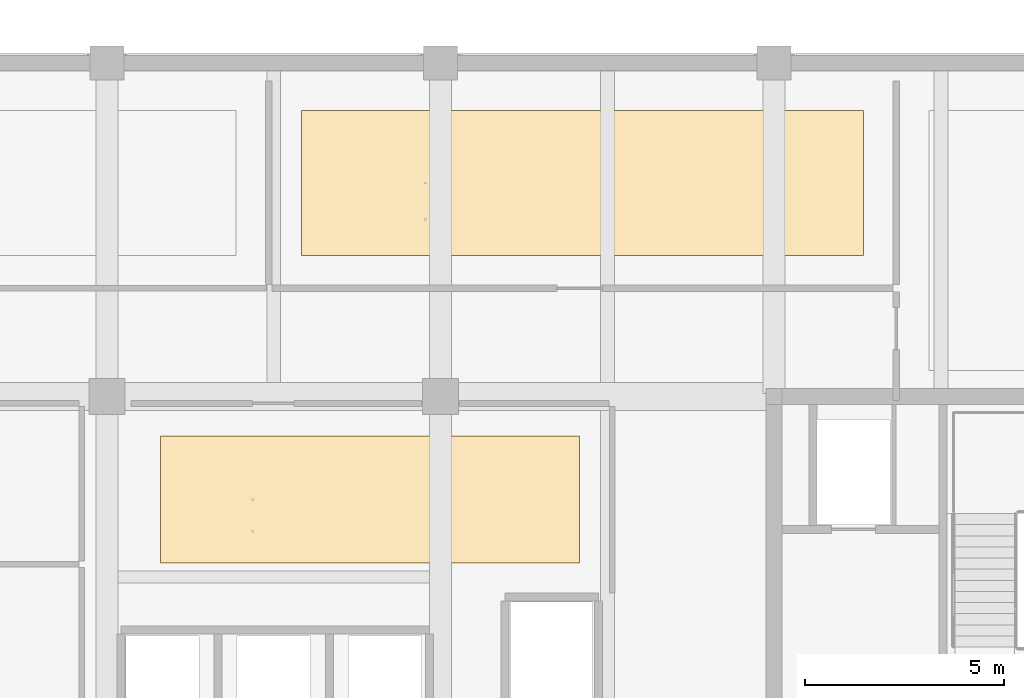
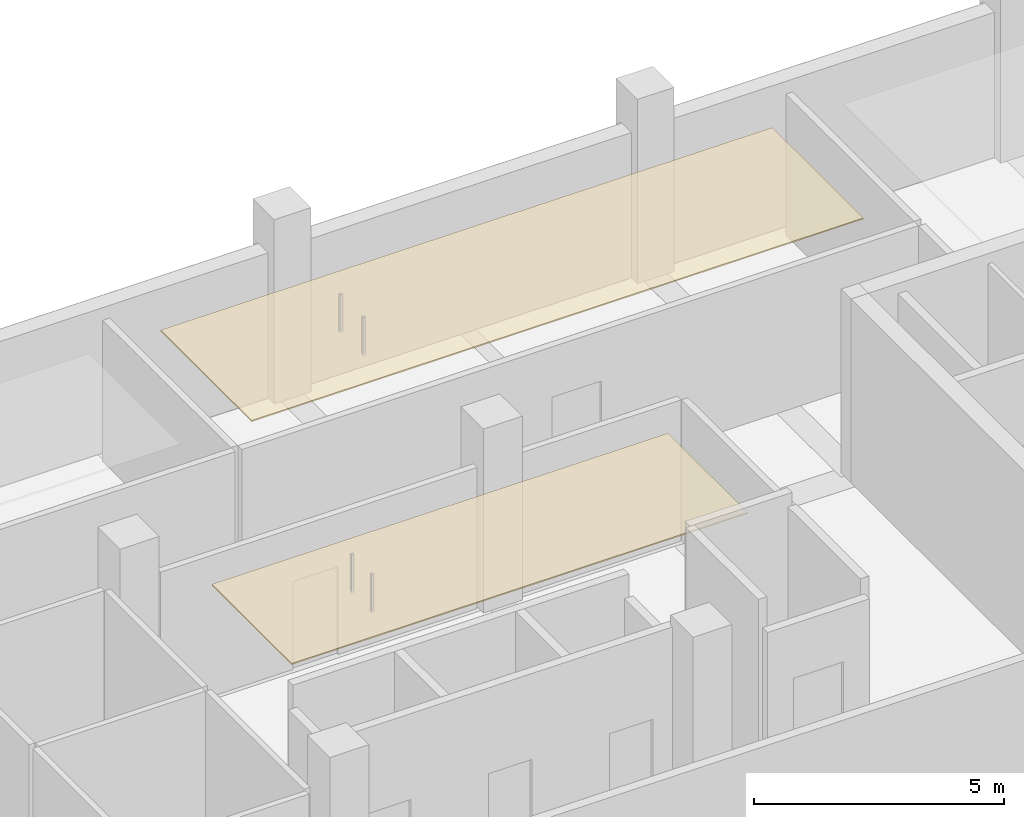
# One storey, part 32 of 39: 2 coverings.
"""IFC4 building model written with IfcOpenShell, lengths in metres."""

from ifc_helpers import new_model, si_unit, direction, frame, origin, place, context, subcontext, project, spatial, polyline, outline, extrude, material, layer, layer_set, type_object, element, save


model = new_model("IFC4")

# Units and contexts
model_context = context("Model", 3, precision=1e-05, world=origin(), true_north=direction((0.0, 1.0)))
body_context = subcontext(model_context, "Body", "Model", "MODEL_VIEW")
ifc_project = project(units=[si_unit("LENGTHUNIT", "METRE"), si_unit("AREAUNIT", "SQUARE_METRE"), si_unit("VOLUMEUNIT", "CUBIC_METRE"), si_unit("PLANEANGLEUNIT", "RADIAN"), si_unit("MASSUNIT", "GRAM", prefix="KILO")], contexts=[model_context])

# Site, building, storey
site_placement = place(None, origin())
site = spatial("IfcSite", under=ifc_project, at=site_placement, CompositionType="ELEMENT")
building_placement = place(site_placement, origin())
building = spatial("IfcBuilding", under=site, at=building_placement, Name="Telukmera Botanical Conservatory", CompositionType="ELEMENT")
storey_placement = place(building_placement, frame((0.0, 0.0, 19.5)))
storey = spatial("IfcBuildingStorey", under=building, at=storey_placement, Name="L04", CompositionType="ELEMENT", Elevation=19.5)

# Coverings
ifc_material = material(Name="Mineral fibre acoustic ceiling")
ifc_layer = layer(ifc_material, 0.030029296875)
ifc_layer_set = layer_set([ifc_layer], Name="Mineral fibre acoustic ceiling")
covering_type = type_object("IfcCoveringType", Name="COV-CEIL-30", PredefinedType="CEILING", material=ifc_layer_set)
covering_1_placement = place(storey_placement, frame((0.0, 0.0, 3.320068359375)))
element("IfcCovering", 1, at=covering_1_placement, inside=storey, type_object=covering_type, Name="L04 Specimen Mounting Studio Suspended Acoustic Ceiling", PredefinedType="CEILING", context=body_context, shape_type="SweptSolid", body=[
    extrude(outline(polyline([(76.949951171875, 30.199951171875), (87.5, 30.199951171875), (87.5, 33.39990234375), (76.949951171875, 33.39990234375), (76.949951171875, 30.199951171875)])), origin(), (0.0, 0.0, 1.0), 0.030029296875),
])
covering_2_placement = place(storey_placement, frame((0.0, 0.0, 3.320068359375)))
element("IfcCovering", 2, at=covering_2_placement, inside=storey, type_object=covering_type, Name="L04 Botanical Illustration Archive Suspended Acoustic Ceiling", PredefinedType="CEILING", context=body_context, shape_type="SweptSolid", body=[
    extrude(outline(polyline([(80.5, 37.949951171875), (94.64990234375, 37.949951171875), (94.64990234375, 41.60009765625), (80.5, 41.60009765625), (80.5, 37.949951171875)])), origin(), (0.0, 0.0, 1.0), 0.030029296875),
])

save(model, "model.ifc")
